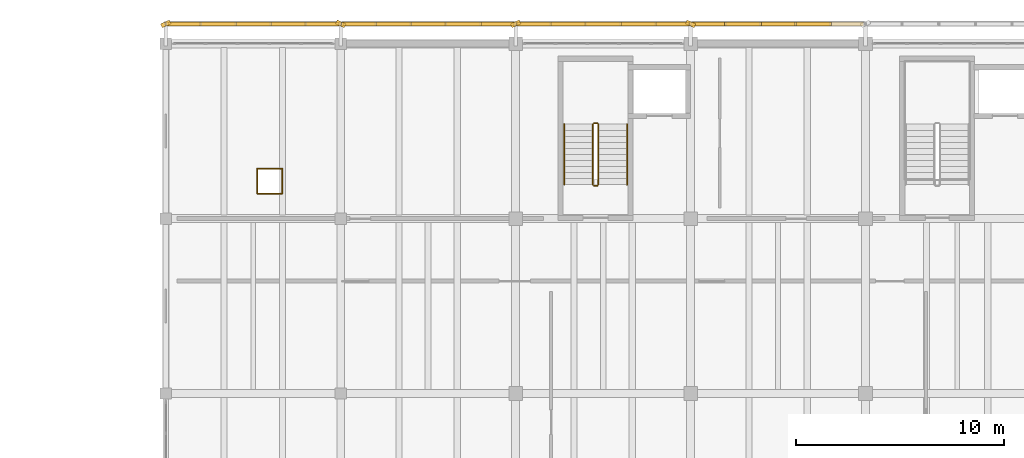
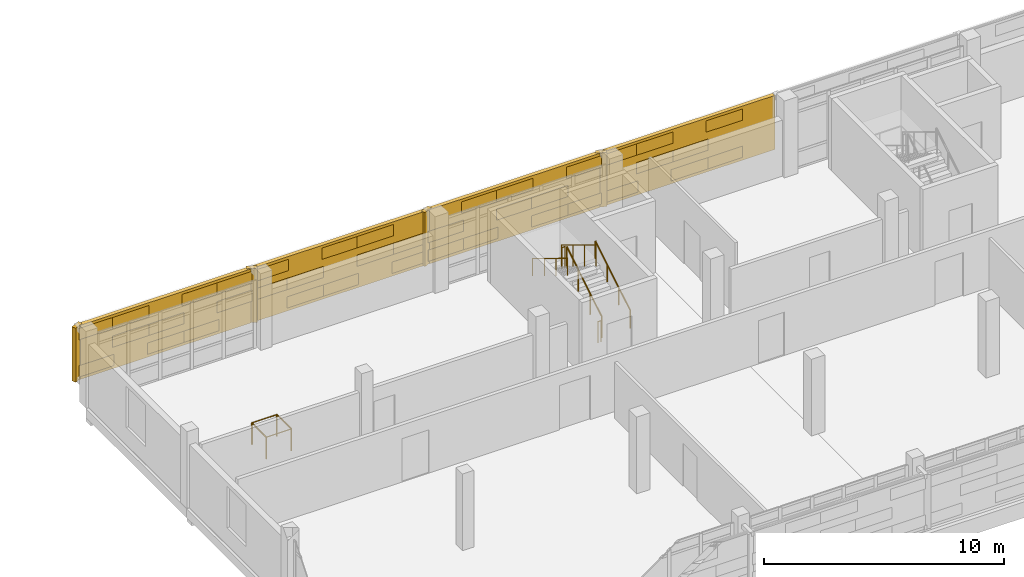
# One storey, part 112 of 117: 42 coverings, 10 railings, 4 shading devices.
"""IFC4 building model written with IfcOpenShell, lengths in metres."""

from ifc_helpers import new_model, si_unit, direction, frame, origin, origin_2d, place, context, subcontext, project, spatial, rectangle, circle, extrude, material, layer, layer_set, type_object, element, save


model = new_model("IFC4")

# Units and contexts
model_context = context("Model", 3, precision=1e-05, world=origin(), true_north=direction((0.0, 1.0)))
body_context = subcontext(model_context, "Body", "Model", "MODEL_VIEW")
ifc_project = project(units=[si_unit("LENGTHUNIT", "METRE"), si_unit("AREAUNIT", "SQUARE_METRE"), si_unit("VOLUMEUNIT", "CUBIC_METRE"), si_unit("PLANEANGLEUNIT", "RADIAN"), si_unit("MASSUNIT", "GRAM", prefix="KILO")], contexts=[model_context])

# Site, building, storey
site_placement = place(None, origin())
site = spatial("IfcSite", under=ifc_project, at=site_placement, CompositionType="ELEMENT")
building_placement = place(site_placement, origin())
building = spatial("IfcBuilding", under=site, at=building_placement, Name="Cinderway Yard Community Centre", CompositionType="ELEMENT")
storey_placement = place(building_placement, frame((0.0, 0.0, 9.0)))
storey = spatial("IfcBuildingStorey", under=building, at=storey_placement, Name="L02", CompositionType="ELEMENT", Elevation=9.0)

# Coverings
ifc_material_1 = material(Name="Brick Masonry", Category="masonry")
ifc_layer = layer(ifc_material_1, 0.18994140625, Name="Brick Masonry")
ifc_layer_set = layer_set([ifc_layer], Name="Brick Masonry")
covering_type = type_object("IfcCoveringType", Name="ENV-COV-BRK-SCREEN", PredefinedType="CLADDING", material=ifc_layer_set)
for number, where, z_axis, x_axis, name in (
    (1, (41.60009765625, 116.14990234375, 0.64990234375), (0.0, 0.0, 1.0), (0.913545457643, 0.406736643076, 0.0), "Deconstructivist folded brick fin 0134"),
    (2, (50.0, 116.14990234375, 0.64990234375), (0.0, 0.0, 1.0), (0.913545457643, -0.406736643076, 0.0), "Deconstructivist folded brick fin 0135"),
    (3, (58.39990234375, 116.14990234375, 0.64990234375), (0.0, 0.0, 1.0), (0.913545457643, 0.406736643076, 0.0), "Deconstructivist folded brick fin 0136"),
    (4, (66.800048828125, 116.14990234375, 0.64990234375), (0.0, 0.0, 1.0), (0.913545457643, -0.406736643076, 0.0), "Deconstructivist folded brick fin 0137"),
):
    element("IfcCovering", number, at=place(storey_placement, frame(where, z_axis=z_axis, x_axis=x_axis)), inside=storey, type_object=covering_type, Name=name, PredefinedType="CLADDING", context=body_context, shape_type="SweptSolid", body=[
        extrude(rectangle(XDim=0.4599609375, YDim=0.199951171875, at=origin_2d()), origin(), (0.0, 0.0, 1.0), 2.75),
    ])
for number, where, z_axis, x_axis, name in (
    (5, (42.43994140625, 116.14990234375, 0.79052734375), (0.0, 0.0, 1.0), (1.0, 0.0, 0.0), "Open-bond perforated brick screen course 00146"),
    (6, (45.800048828125, 116.14990234375, 0.79052734375), (0.0, 0.0, 1.0), (1.0, 0.0, 0.0), "Open-bond perforated brick screen course 00147"),
    (7, (47.47998046875, 116.14990234375, 0.79052734375), (0.0, 0.0, 1.0), (1.0, 0.0, 0.0), "Open-bond perforated brick screen course 00148"),
    (8, (44.1201171875, 116.14990234375, 1.736328125), (0.0, 0.0, 1.0), (1.0, 0.0, 0.0), "Open-bond perforated brick screen course 00149"),
    (9, (45.800048828125, 116.14990234375, 1.736328125), (0.0, 0.0, 1.0), (1.0, 0.0, 0.0), "Open-bond perforated brick screen course 00150"),
    (10, (49.159912109375, 116.14990234375, 1.736328125), (0.0, 0.0, 1.0), (1.0, 0.0, 0.0), "Open-bond perforated brick screen course 00151"),
    (11, (42.43994140625, 116.14990234375, 2.6826171875), (0.0, 0.0, 1.0), (1.0, 0.0, 0.0), "Open-bond perforated brick screen course 00152"),
    (12, (44.1201171875, 116.14990234375, 2.6826171875), (0.0, 0.0, 1.0), (1.0, 0.0, 0.0), "Open-bond perforated brick screen course 00153"),
    (13, (47.47998046875, 116.14990234375, 2.6826171875), (0.0, 0.0, 1.0), (1.0, 0.0, 0.0), "Open-bond perforated brick screen course 00154"),
    (14, (49.159912109375, 116.14990234375, 2.6826171875), (0.0, 0.0, 1.0), (1.0, 0.0, 0.0), "Open-bond perforated brick screen course 00155"),
    (15, (52.52001953125, 116.14990234375, 0.79052734375), (0.0, 0.0, 1.0), (1.0, 0.0, 0.0), "Open-bond perforated brick screen course 00156"),
    (16, (54.199951171875, 116.14990234375, 0.79052734375), (0.0, 0.0, 1.0), (1.0, 0.0, 0.0), "Open-bond perforated brick screen course 00157"),
    (17, (57.56005859375, 116.14990234375, 0.79052734375), (0.0, 0.0, 1.0), (1.0, 0.0, 0.0), "Open-bond perforated brick screen course 00158"),
    (18, (50.840087890625, 116.14990234375, 1.736328125), (0.0, 0.0, 1.0), (1.0, 0.0, 0.0), "Open-bond perforated brick screen course 00159"),
    (19, (52.52001953125, 116.14990234375, 1.736328125), (0.0, 0.0, 1.0), (1.0, 0.0, 0.0), "Open-bond perforated brick screen course 00160"),
    (20, (55.8798828125, 116.14990234375, 1.736328125), (0.0, 0.0, 1.0), (1.0, 0.0, 0.0), "Open-bond perforated brick screen course 00161"),
    (21, (57.56005859375, 116.14990234375, 1.736328125), (0.0, 0.0, 1.0), (1.0, 0.0, 0.0), "Open-bond perforated brick screen course 00162"),
    (22, (50.840087890625, 116.14990234375, 2.6826171875), (0.0, 0.0, 1.0), (1.0, 0.0, 0.0), "Open-bond perforated brick screen course 00163"),
    (23, (54.199951171875, 116.14990234375, 2.6826171875), (0.0, 0.0, 1.0), (1.0, 0.0, 0.0), "Open-bond perforated brick screen course 00164"),
    (24, (55.8798828125, 116.14990234375, 2.6826171875), (0.0, 0.0, 1.0), (1.0, 0.0, 0.0), "Open-bond perforated brick screen course 00165"),
    (25, (59.239990234375, 116.14990234375, 0.79052734375), (0.0, 0.0, 1.0), (1.0, 0.0, 0.0), "Open-bond perforated brick screen course 00166"),
    (26, (60.919921875, 116.14990234375, 0.79052734375), (0.0, 0.0, 1.0), (1.0, 0.0, 0.0), "Open-bond perforated brick screen course 00167"),
    (27, (64.280029296875, 116.14990234375, 0.79052734375), (0.0, 0.0, 1.0), (1.0, 0.0, 0.0), "Open-bond perforated brick screen course 00168"),
    (28, (65.9599609375, 116.14990234375, 0.79052734375), (0.0, 0.0, 1.0), (1.0, 0.0, 0.0), "Open-bond perforated brick screen course 00169"),
    (29, (59.239990234375, 116.14990234375, 1.736328125), (0.0, 0.0, 1.0), (1.0, 0.0, 0.0), "Open-bond perforated brick screen course 00170"),
    (30, (62.60009765625, 116.14990234375, 1.736328125), (0.0, 0.0, 1.0), (1.0, 0.0, 0.0), "Open-bond perforated brick screen course 00171"),
    (31, (64.280029296875, 116.14990234375, 1.736328125), (0.0, 0.0, 1.0), (1.0, 0.0, 0.0), "Open-bond perforated brick screen course 00172"),
    (32, (60.919921875, 116.14990234375, 2.6826171875), (0.0, 0.0, 1.0), (1.0, 0.0, 0.0), "Open-bond perforated brick screen course 00173"),
    (33, (62.60009765625, 116.14990234375, 2.6826171875), (0.0, 0.0, 1.0), (1.0, 0.0, 0.0), "Open-bond perforated brick screen course 00174"),
    (34, (65.9599609375, 116.14990234375, 2.6826171875), (0.0, 0.0, 1.0), (1.0, 0.0, 0.0), "Open-bond perforated brick screen course 00175"),
    (35, (67.639892578125, 116.14990234375, 0.79052734375), (0.0, 0.0, 1.0), (1.0, 0.0, 0.0), "Open-bond perforated brick screen course 00176"),
    (36, (71.0, 116.14990234375, 0.79052734375), (0.0, 0.0, 1.0), (1.0, 0.0, 0.0), "Open-bond perforated brick screen course 00177"),
    (37, (72.679931640625, 116.14990234375, 0.79052734375), (0.0, 0.0, 1.0), (1.0, 0.0, 0.0), "Open-bond perforated brick screen course 00178"),
    (38, (69.320068359375, 116.14990234375, 1.736328125), (0.0, 0.0, 1.0), (1.0, 0.0, 0.0), "Open-bond perforated brick screen course 00179"),
    (39, (71.0, 116.14990234375, 1.736328125), (0.0, 0.0, 1.0), (1.0, 0.0, 0.0), "Open-bond perforated brick screen course 00180"),
    (40, (67.639892578125, 116.14990234375, 2.6826171875), (0.0, 0.0, 1.0), (1.0, 0.0, 0.0), "Open-bond perforated brick screen course 00182"),
    (41, (69.320068359375, 116.14990234375, 2.6826171875), (0.0, 0.0, 1.0), (1.0, 0.0, 0.0), "Open-bond perforated brick screen course 00183"),
    (42, (72.679931640625, 116.14990234375, 2.6826171875), (0.0, 0.0, 1.0), (1.0, 0.0, 0.0), "Open-bond perforated brick screen course 00184"),
):
    element("IfcCovering", number, at=place(storey_placement, frame(where, z_axis=z_axis, x_axis=x_axis)), inside=storey, type_object=covering_type, Name=name, PredefinedType="CLADDING", context=body_context, shape_type="SweptSolid", body=[
        extrude(rectangle(XDim=1.760009765625, YDim=0.18994140625, at=origin_2d()), origin(), (0.0, 0.0, 1.0), 0.576904296875),
    ])

# Shading devices
shading_device_type = type_object("IfcShadingDeviceType", Name="ENV-SHD-BRICKSCREEN-A", PredefinedType="USERDEFINED", material=ifc_material_1)
for number, where, z_axis, x_axis, name in (
    (43, (45.800048828125, 116.14990234375, 0.64990234375), (0.0, 0.0, 1.0), (1.0, 0.0, 0.0), "Street Perforated Brick Screen 0106"),
    (44, (54.199951171875, 116.14990234375, 0.64990234375), (0.0, 0.0, 1.0), (1.0, 0.0, 0.0), "Street Perforated Brick Screen 0114"),
    (45, (62.60009765625, 116.14990234375, 0.64990234375), (0.0, 0.0, 1.0), (1.0, 0.0, 0.0), "Street Perforated Brick Screen 0122"),
    (46, (71.0, 116.14990234375, 0.64990234375), (0.0, 0.0, 1.0), (1.0, 0.0, 0.0), "Street Perforated Brick Screen 0130"),
):
    element("IfcShadingDevice", number, at=place(storey_placement, frame(where, z_axis=z_axis, x_axis=x_axis)), inside=storey, type_object=shading_device_type, Name=name, ObjectType="PERFORATED BRICK SCREEN", PredefinedType="USERDEFINED", context=body_context, shape_type="SweptSolid", body=[
        extrude(rectangle(XDim=8.199951171875, YDim=0.18994140625, at=origin_2d()), origin(), (0.0, 0.0, 1.0), 2.75),
    ])

# Railings
ifc_material_2 = material(Name="Painted Galvanised Steel", Category="steel")
railing_type_1 = type_object("IfcRailingType", Name="INT-RAL-GRD112", PredefinedType="GUARDRAIL", material=ifc_material_2)
railing_1_placement = place(storey_placement, frame((62.3701171875, 108.429931640625, 0.17724609375)))
element("IfcRailing", 47, at=railing_1_placement, inside=storey, type_object=railing_type_1, Name="L02 ST-01 stair guard 1", PredefinedType="GUARDRAIL", context=body_context, shape_type="SweptSolid", body=[
    extrude(circle(Radius=0.02392578125, at=origin_2d()), frame((0.0, 0.0, 1.076171875), z_axis=(0.0, 0.853230340181, 0.521534262148), x_axis=(-1.0, 0.0, 0.0)), (0.0, 0.0, 1.0), 3.39892578125),
    extrude(circle(Radius=0.02099609375, at=origin_2d()), origin(), (0.0, 0.0, 1.0), 1.052001953125),
    extrude(circle(Radius=0.02099609375, at=origin_2d()), frame((0.0, 0.966796875, 0.5908203125)), (0.0, 0.0, 1.0), 1.052001953125),
    extrude(circle(Radius=0.02099609375, at=origin_2d()), frame((0.0, 1.933349609375, 1.181884765625)), (0.0, 0.0, 1.0), 1.052001953125),
    extrude(circle(Radius=0.02099609375, at=origin_2d()), frame((0.0, 2.900146484375, 1.772705078125)), (0.0, 0.0, 1.0), 1.052001953125),
])
railing_2_placement = place(storey_placement, frame((62.320068359375, 111.3798828125, 1.949951171875)))
element("IfcRailing", 48, at=railing_2_placement, inside=storey, type_object=railing_type_1, Name="L02 ST-01 stair guard 2", PredefinedType="GUARDRAIL", context=body_context, shape_type="SweptSolid", body=[
    extrude(circle(Radius=0.02392578125, at=origin_2d()), frame((0.0, 0.0, 1.076171875), z_axis=(-1.0, 0.0, 0.0), x_axis=(0.0, -1.0, 0.0)), (0.0, 0.0, 1.0), 0.16015625),
    extrude(circle(Radius=0.02099609375, at=origin_2d()), origin(), (0.0, 0.0, 1.0), 1.052001953125),
    extrude(circle(Radius=0.02099609375, at=origin_2d()), frame((-0.16015625, 0.0, 0.0)), (0.0, 0.0, 1.0), 1.052001953125),
])
railing_3_placement = place(storey_placement, frame((62.110107421875, 111.330078125, 2.127197265625)))
element("IfcRailing", 49, at=railing_3_placement, inside=storey, type_object=railing_type_1, Name="L02 ST-01 stair guard 3", PredefinedType="GUARDRAIL", context=body_context, shape_type="SweptSolid", body=[
    extrude(circle(Radius=0.02392578125, at=origin_2d()), frame((0.0, 0.0, 1.076171875), z_axis=(0.0, -0.853230340181, 0.521534262148), x_axis=(1.0, 0.0, 0.0)), (0.0, 0.0, 1.0), 3.39892578125),
    extrude(circle(Radius=0.02099609375, at=origin_2d()), origin(), (0.0, 0.0, 1.0), 1.052001953125),
    extrude(circle(Radius=0.02099609375, at=origin_2d()), frame((0.0, -0.966796875, 0.5908203125)), (0.0, 0.0, 1.0), 1.052001953125),
    extrude(circle(Radius=0.02099609375, at=origin_2d()), frame((0.0, -1.933349609375, 1.181884765625)), (0.0, 0.0, 1.0), 1.052001953125),
    extrude(circle(Radius=0.02099609375, at=origin_2d()), frame((0.0, -2.900146484375, 1.772705078125)), (0.0, 0.0, 1.0), 1.052001953125),
])
railing_4_placement = place(storey_placement, frame((62.320068359375, 108.3798828125, 0.0)))
element("IfcRailing", 50, at=railing_4_placement, inside=storey, type_object=railing_type_1, Name="L02 ST-01 stair guard 4", PredefinedType="GUARDRAIL", context=body_context, shape_type="SweptSolid", body=[
    extrude(circle(Radius=0.02392578125, at=origin_2d()), frame((0.0, 0.0, 1.076171875), z_axis=(-1.0, 0.0, 0.0), x_axis=(0.0, -1.0, 0.0)), (0.0, 0.0, 1.0), 0.16015625),
    extrude(circle(Radius=0.02099609375, at=origin_2d()), origin(), (0.0, 0.0, 1.0), 1.052001953125),
    extrude(circle(Radius=0.02099609375, at=origin_2d()), frame((-0.16015625, 0.0, 0.0)), (0.0, 0.0, 1.0), 1.052001953125),
])
railing_5_placement = place(storey_placement, frame((46.0, 108.0, 0.0)))
element("IfcRailing", 51, at=railing_5_placement, inside=storey, type_object=railing_type_1, Name="Service void perimeter guard L02 147", PredefinedType="GUARDRAIL", context=body_context, shape_type="SweptSolid", body=[
    extrude(circle(Radius=0.02392578125, at=origin_2d()), frame((0.0, 0.0, 1.09619140625), z_axis=(1.0, 0.0, 0.0), x_axis=(0.0, 1.0, 0.0)), (0.0, 0.0, 1.0), 1.199951171875),
    extrude(circle(Radius=0.02099609375, at=origin_2d()), origin(), (0.0, 0.0, 1.0), 1.072021484375),
    extrude(circle(Radius=0.02099609375, at=origin_2d()), frame((1.199951171875, 0.0, 0.0)), (0.0, 0.0, 1.0), 1.072021484375),
])
railing_6_placement = place(storey_placement, frame((47.199951171875, 108.0, 0.0)))
element("IfcRailing", 52, at=railing_6_placement, inside=storey, type_object=railing_type_1, Name="Service void perimeter guard L02 148", PredefinedType="GUARDRAIL", context=body_context, shape_type="SweptSolid", body=[
    extrude(circle(Radius=0.02392578125, at=origin_2d()), frame((0.0, 0.0, 1.09619140625), z_axis=(0.0, 1.0, 0.0), x_axis=(-1.0, 0.0, 0.0)), (0.0, 0.0, 1.0), 1.199951171875),
    extrude(circle(Radius=0.02099609375, at=origin_2d()), origin(), (0.0, 0.0, 1.0), 1.072021484375),
    extrude(circle(Radius=0.02099609375, at=origin_2d()), frame((0.0, 1.199951171875, 0.0)), (0.0, 0.0, 1.0), 1.072021484375),
])
railing_7_placement = place(storey_placement, frame((47.199951171875, 109.199951171875, 0.0)))
element("IfcRailing", 53, at=railing_7_placement, inside=storey, type_object=railing_type_1, Name="Service void perimeter guard L02 149", PredefinedType="GUARDRAIL", context=body_context, shape_type="SweptSolid", body=[
    extrude(circle(Radius=0.02392578125, at=origin_2d()), frame((0.0, 0.0, 1.09619140625), z_axis=(-1.0, 0.0, 0.0), x_axis=(0.0, -1.0, 0.0)), (0.0, 0.0, 1.0), 1.199951171875),
    extrude(circle(Radius=0.02099609375, at=origin_2d()), origin(), (0.0, 0.0, 1.0), 1.072021484375),
    extrude(circle(Radius=0.02099609375, at=origin_2d()), frame((-1.199951171875, 0.0, 0.0)), (0.0, 0.0, 1.0), 1.072021484375),
])
railing_8_placement = place(storey_placement, frame((46.0, 109.199951171875, 0.0)))
element("IfcRailing", 54, at=railing_8_placement, inside=storey, type_object=railing_type_1, Name="Service void perimeter guard L02 150", PredefinedType="GUARDRAIL", context=body_context, shape_type="SweptSolid", body=[
    extrude(circle(Radius=0.02392578125, at=origin_2d()), frame((0.0, 0.0, 1.09619140625), z_axis=(0.0, -1.0, 0.0), x_axis=(1.0, 0.0, 0.0)), (0.0, 0.0, 1.0), 1.199951171875),
    extrude(circle(Radius=0.02099609375, at=origin_2d()), origin(), (0.0, 0.0, 1.0), 1.072021484375),
    extrude(circle(Radius=0.02099609375, at=origin_2d()), frame((0.0, -1.199951171875, 0.0)), (0.0, 0.0, 1.0), 1.072021484375),
])
railing_type_2 = type_object("IfcRailingType", Name="INT-RAL-HND090", PredefinedType="HANDRAIL", material=ifc_material_2)
railing_9_placement = place(storey_placement, frame((63.75, 108.429931640625, 0.17724609375)))
element("IfcRailing", 55, at=railing_9_placement, inside=storey, type_object=railing_type_2, Name="L02 ST-01 stair handrail 1", PredefinedType="HANDRAIL", context=body_context, shape_type="SweptSolid", body=[
    extrude(circle(Radius=0.02392578125, at=origin_2d()), frame((0.0, 0.0, 0.8759765625), z_axis=(0.0, 0.853230340181, 0.521534262148), x_axis=(-1.0, 0.0, 0.0)), (0.0, 0.0, 1.0), 3.39892578125),
    extrude(circle(Radius=0.02099609375, at=origin_2d()), origin(), (0.0, 0.0, 1.0), 0.851806640625),
    extrude(circle(Radius=0.02099609375, at=origin_2d()), frame((0.0, 0.966796875, 0.5908203125)), (0.0, 0.0, 1.0), 0.851806640625),
    extrude(circle(Radius=0.02099609375, at=origin_2d()), frame((0.0, 1.933349609375, 1.181884765625)), (0.0, 0.0, 1.0), 0.851806640625),
    extrude(circle(Radius=0.02099609375, at=origin_2d()), frame((0.0, 2.900146484375, 1.772705078125)), (0.0, 0.0, 1.0), 0.851806640625),
])
railing_10_placement = place(storey_placement, frame((60.72998046875, 111.330078125, 2.127197265625)))
element("IfcRailing", 56, at=railing_10_placement, inside=storey, type_object=railing_type_2, Name="L02 ST-01 stair handrail 2", PredefinedType="HANDRAIL", context=body_context, shape_type="SweptSolid", body=[
    extrude(circle(Radius=0.02392578125, at=origin_2d()), frame((0.0, 0.0, 0.8759765625), z_axis=(0.0, -0.853230340181, 0.521534262148), x_axis=(1.0, 0.0, 0.0)), (0.0, 0.0, 1.0), 3.39892578125),
    extrude(circle(Radius=0.02099609375, at=origin_2d()), origin(), (0.0, 0.0, 1.0), 0.851806640625),
    extrude(circle(Radius=0.02099609375, at=origin_2d()), frame((0.0, -0.966796875, 0.5908203125)), (0.0, 0.0, 1.0), 0.851806640625),
    extrude(circle(Radius=0.02099609375, at=origin_2d()), frame((0.0, -1.933349609375, 1.181884765625)), (0.0, 0.0, 1.0), 0.851806640625),
    extrude(circle(Radius=0.02099609375, at=origin_2d()), frame((0.0, -2.900146484375, 1.772705078125)), (0.0, 0.0, 1.0), 0.851806640625),
])

save(model, "model.ifc")
